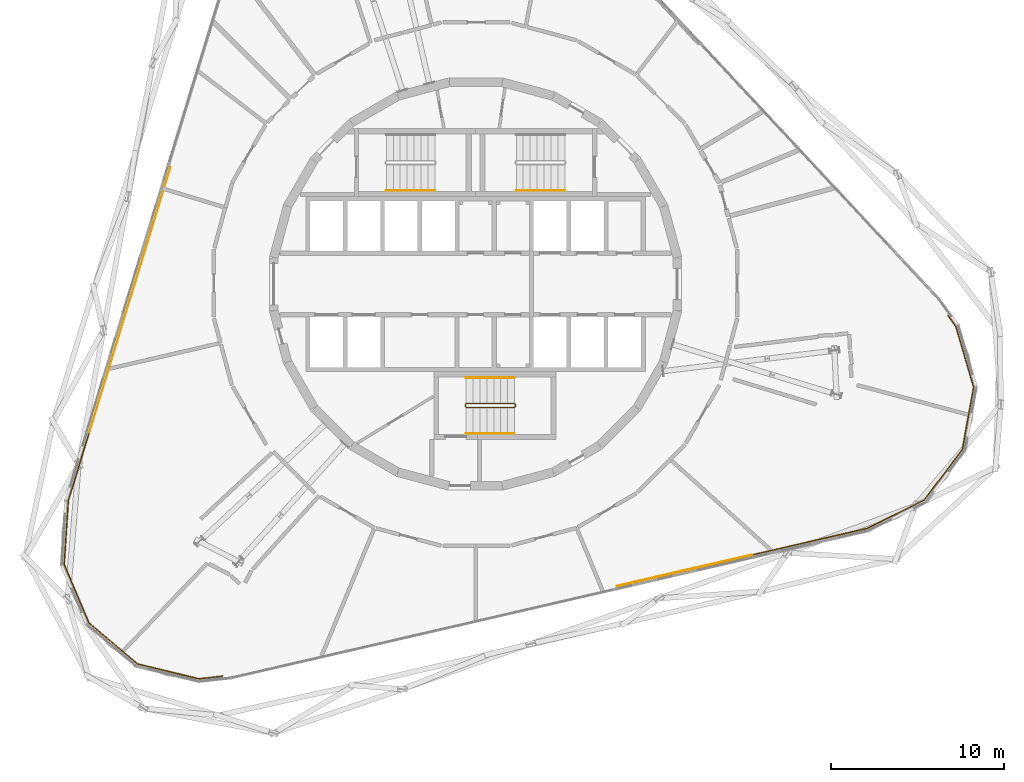
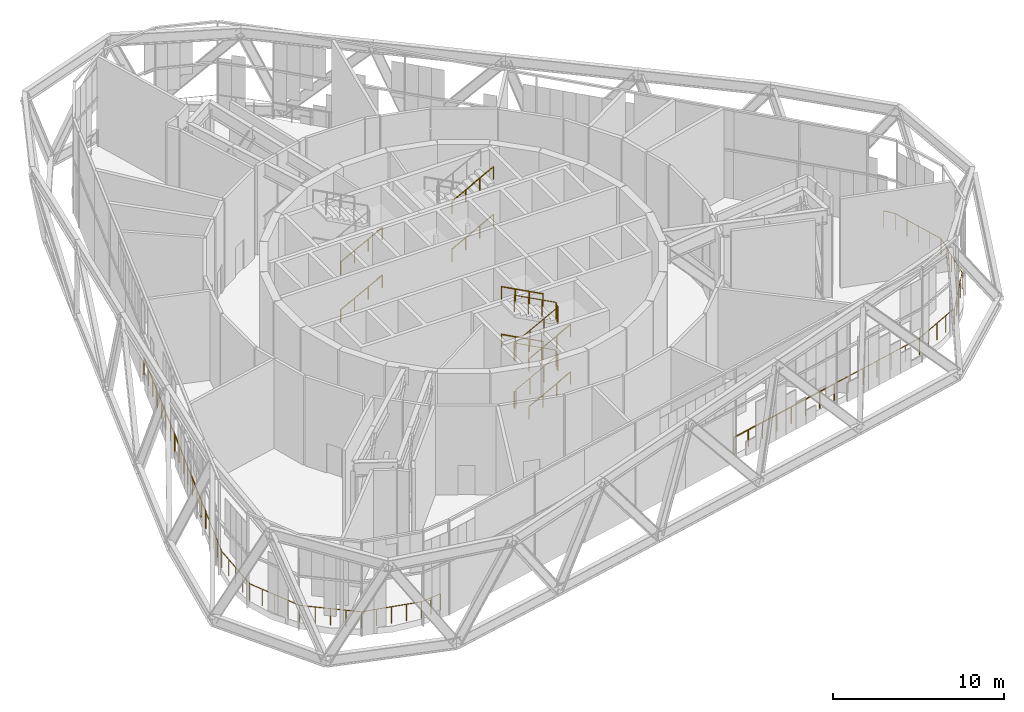
# One storey, part 24 of 25: 13 railings.
"""IFC4 building model written with IfcOpenShell, lengths in metres."""

from ifc_helpers import new_model, si_unit, direction, frame, origin, origin_2d, place, context, subcontext, project, spatial, circle, extrude, material, type_object, element, save


model = new_model("IFC4")

# Units and contexts
model_context = context("Model", 3, precision=1e-05, world=origin(), true_north=direction((0.0, 1.0)))
body_context = subcontext(model_context, "Body", "Model", "MODEL_VIEW")
ifc_project = project(units=[si_unit("LENGTHUNIT", "METRE"), si_unit("AREAUNIT", "SQUARE_METRE"), si_unit("VOLUMEUNIT", "CUBIC_METRE"), si_unit("PLANEANGLEUNIT", "RADIAN"), si_unit("MASSUNIT", "GRAM", prefix="KILO")], contexts=[model_context])

# Site, building, storey
site_placement = place(None, origin())
site = spatial("IfcSite", under=ifc_project, at=site_placement, CompositionType="ELEMENT")
building_placement = place(site_placement, origin())
building = spatial("IfcBuilding", under=site, at=building_placement, Name="Spindle Arch Residences", CompositionType="ELEMENT")
storey_placement = place(building_placement, frame((0.0, 0.0, 144.89990234375)))
storey = spatial("IfcBuildingStorey", under=building, at=storey_placement, Name="L36", CompositionType="ELEMENT", Elevation=144.89990234375)

# Railings
ifc_material_1 = material(Name="Bronze anodised aluminium guard with glass infill", Category="aluminium")
railing_type_1 = type_object("IfcRailingType", Name="Facade guard 1200", PredefinedType="GUARDRAIL", material=ifc_material_1)
railing_1_placement = place(storey_placement, frame((15.998046875, -15.62255859375, 0.0)))
element("IfcRailing", 1, at=railing_1_placement, inside=storey, type_object=railing_type_1, Name="Facade guard L36 1", PredefinedType="GUARDRAIL", context=body_context, shape_type="SweptSolid", body=[
    extrude(circle(Radius=0.02392578125, at=origin_2d()), frame((0.0, 0.0, 1.17578125), z_axis=(0.974366842285, 0.224965012068, 0.0), x_axis=(-0.224965012068, 0.974366842285, 0.0)), (0.0, 0.0, 1.0), 6.760009765625),
    extrude(circle(Radius=0.02392578125, at=origin_2d()), frame((6.586669921875, 1.520751953125, 1.17578125), z_axis=(0.896586040729, 0.442869587542, 0.0), x_axis=(-0.442869587542, 0.896586040729, 0.0)), (0.0, 0.0, 1.0), 3.69140625),
    extrude(circle(Radius=0.02392578125, at=origin_2d()), frame((9.896240234375, 3.155517578125, 1.17578125), z_axis=(0.601227923435, 0.799077583268, 0.0), x_axis=(-0.799077583268, 0.601227923435, 0.0)), (0.0, 0.0, 1.0), 3.65625),
    extrude(circle(Radius=0.02392578125, at=origin_2d()), frame((12.094482421875, 6.0771484375, 1.17578125), z_axis=(0.178750288741, 0.98389447314, 0.0), x_axis=(-0.98389447314, 0.178750288741, 0.0)), (0.0, 0.0, 1.0), 3.65625),
    extrude(circle(Radius=0.02392578125, at=origin_2d()), frame((12.748046875, 9.674560546875, 1.17578125), z_axis=(-0.281927708506, 0.959435650357, 0.0), x_axis=(-0.959435650357, -0.281927708506, 0.0)), (0.0, 0.0, 1.0), 3.656005859375),
    extrude(circle(Radius=0.02392578125, at=origin_2d()), frame((11.71728515625, 13.182373046875, 1.17578125), z_axis=(-0.591252575299, 0.806486448864, 0.0), x_axis=(-0.806486448864, -0.591252575299, 0.0)), (0.0, 0.0, 1.0), 0.76220703125),
    extrude(circle(Radius=0.02099609375, at=origin_2d()), origin(), (0.0, 0.0, 1.0), 1.15185546875),
    extrude(circle(Radius=0.02099609375, at=origin_2d()), frame((1.09765625, 0.25341796875, 0.0)), (0.0, 0.0, 1.0), 1.15185546875),
    extrude(circle(Radius=0.02099609375, at=origin_2d()), frame((2.195556640625, 0.5068359375, 0.0)), (0.0, 0.0, 1.0), 1.15185546875),
    extrude(circle(Radius=0.02099609375, at=origin_2d()), frame((3.29345703125, 0.76025390625, 0.0)), (0.0, 0.0, 1.0), 1.15185546875),
    extrude(circle(Radius=0.02099609375, at=origin_2d()), frame((4.39111328125, 1.013916015625, 0.0)), (0.0, 0.0, 1.0), 1.15185546875),
    extrude(circle(Radius=0.02099609375, at=origin_2d()), frame((5.48876953125, 1.267333984375, 0.0)), (0.0, 0.0, 1.0), 1.15185546875),
    extrude(circle(Radius=0.02099609375, at=origin_2d()), frame((6.586669921875, 1.520751953125, 0.0)), (0.0, 0.0, 1.0), 1.15185546875),
    extrude(circle(Radius=0.02099609375, at=origin_2d()), frame((7.4140625, 1.929443359375, 0.0)), (0.0, 0.0, 1.0), 1.15185546875),
    extrude(circle(Radius=0.02099609375, at=origin_2d()), frame((8.241455078125, 2.338134765625, 0.0)), (0.0, 0.0, 1.0), 1.15185546875),
    extrude(circle(Radius=0.02099609375, at=origin_2d()), frame((9.06884765625, 2.746826171875, 0.0)), (0.0, 0.0, 1.0), 1.15185546875),
    extrude(circle(Radius=0.02099609375, at=origin_2d()), frame((9.896240234375, 3.155517578125, 0.0)), (0.0, 0.0, 1.0), 1.15185546875),
    extrude(circle(Radius=0.02099609375, at=origin_2d()), frame((10.44580078125, 3.885986328125, 0.0)), (0.0, 0.0, 1.0), 1.15185546875),
    extrude(circle(Radius=0.02099609375, at=origin_2d()), frame((10.995361328125, 4.6162109375, 0.0)), (0.0, 0.0, 1.0), 1.15185546875),
    extrude(circle(Radius=0.02099609375, at=origin_2d()), frame((11.544921875, 5.3466796875, 0.0)), (0.0, 0.0, 1.0), 1.15185546875),
    extrude(circle(Radius=0.02099609375, at=origin_2d()), frame((12.094482421875, 6.0771484375, 0.0)), (0.0, 0.0, 1.0), 1.15185546875),
    extrude(circle(Radius=0.02099609375, at=origin_2d()), frame((12.2578125, 6.9765625, 0.0)), (0.0, 0.0, 1.0), 1.15185546875),
    extrude(circle(Radius=0.02099609375, at=origin_2d()), frame((12.42138671875, 7.8759765625, 0.0)), (0.0, 0.0, 1.0), 1.15185546875),
    extrude(circle(Radius=0.02099609375, at=origin_2d()), frame((12.584716796875, 8.775146484375, 0.0)), (0.0, 0.0, 1.0), 1.15185546875),
    extrude(circle(Radius=0.02099609375, at=origin_2d()), frame((12.748046875, 9.674560546875, 0.0)), (0.0, 0.0, 1.0), 1.15185546875),
    extrude(circle(Radius=0.02099609375, at=origin_2d()), frame((12.490234375, 10.551513671875, 0.0)), (0.0, 0.0, 1.0), 1.15185546875),
    extrude(circle(Radius=0.02099609375, at=origin_2d()), frame((12.232666015625, 11.428466796875, 0.0)), (0.0, 0.0, 1.0), 1.15185546875),
    extrude(circle(Radius=0.02099609375, at=origin_2d()), frame((11.97509765625, 12.305419921875, 0.0)), (0.0, 0.0, 1.0), 1.15185546875),
    extrude(circle(Radius=0.02099609375, at=origin_2d()), frame((11.71728515625, 13.182373046875, 0.0)), (0.0, 0.0, 1.0), 1.15185546875),
    extrude(circle(Radius=0.02099609375, at=origin_2d()), frame((11.2666015625, 13.797119140625, 0.0)), (0.0, 0.0, 1.0), 1.15185546875),
])
railing_2_placement = place(storey_placement, frame((-17.615966796875, 6.753662109375, 0.0)))
element("IfcRailing", 2, at=railing_2_placement, inside=storey, type_object=railing_type_1, Name="Facade guard L36 4", PredefinedType="GUARDRAIL", context=body_context, shape_type="SweptSolid", body=[
    extrude(circle(Radius=0.02392578125, at=origin_2d()), frame((0.0, 0.0, 1.17578125), z_axis=(-0.292372836763, -0.956304409863, 0.0), x_axis=(0.956304409863, -0.292372836763, 0.0)), (0.0, 0.0, 1.0), 15.998291015625),
    extrude(circle(Radius=0.02099609375, at=origin_2d()), origin(), (0.0, 0.0, 1.0), 1.15185546875),
    extrude(circle(Radius=0.02099609375, at=origin_2d()), frame((-0.333984375, -1.0927734375, 0.0)), (0.0, 0.0, 1.0), 1.15185546875),
    extrude(circle(Radius=0.02099609375, at=origin_2d()), frame((-0.668212890625, -2.185546875, 0.0)), (0.0, 0.0, 1.0), 1.15185546875),
    extrude(circle(Radius=0.02099609375, at=origin_2d()), frame((-1.00244140625, -3.2783203125, 0.0)), (0.0, 0.0, 1.0), 1.15185546875),
    extrude(circle(Radius=0.02099609375, at=origin_2d()), frame((-1.33642578125, -4.371337890625, 0.0)), (0.0, 0.0, 1.0), 1.15185546875),
    extrude(circle(Radius=0.02099609375, at=origin_2d()), frame((-1.67041015625, -5.464111328125, 0.0)), (0.0, 0.0, 1.0), 1.15185546875),
    extrude(circle(Radius=0.02099609375, at=origin_2d()), frame((-2.004638671875, -6.556884765625, 0.0)), (0.0, 0.0, 1.0), 1.15185546875),
    extrude(circle(Radius=0.02099609375, at=origin_2d()), frame((-2.3388671875, -7.649658203125, 0.0)), (0.0, 0.0, 1.0), 1.15185546875),
    extrude(circle(Radius=0.02099609375, at=origin_2d()), frame((-2.6728515625, -8.742431640625, 0.0)), (0.0, 0.0, 1.0), 1.15185546875),
    extrude(circle(Radius=0.02099609375, at=origin_2d()), frame((-3.007080078125, -9.835205078125, 0.0)), (0.0, 0.0, 1.0), 1.15185546875),
    extrude(circle(Radius=0.02099609375, at=origin_2d()), frame((-3.341064453125, -10.927978515625, 0.0)), (0.0, 0.0, 1.0), 1.15185546875),
    extrude(circle(Radius=0.02099609375, at=origin_2d()), frame((-3.67529296875, -12.02099609375, 0.0)), (0.0, 0.0, 1.0), 1.15185546875),
    extrude(circle(Radius=0.02099609375, at=origin_2d()), frame((-4.00927734375, -13.11376953125, 0.0)), (0.0, 0.0, 1.0), 1.15185546875),
    extrude(circle(Radius=0.02099609375, at=origin_2d()), frame((-4.34326171875, -14.20654296875, 0.0)), (0.0, 0.0, 1.0), 1.15185546875),
    extrude(circle(Radius=0.02099609375, at=origin_2d()), frame((-4.677490234375, -15.29931640625, 0.0)), (0.0, 0.0, 1.0), 1.15185546875),
])
railing_3_placement = place(storey_placement, frame((-22.31103515625, -8.60302734375, 0.0)))
element("IfcRailing", 3, at=railing_3_placement, inside=storey, type_object=railing_type_1, Name="Facade guard L36 5", PredefinedType="GUARDRAIL", context=body_context, shape_type="SweptSolid", body=[
    extrude(circle(Radius=0.02392578125, at=origin_2d()), frame((0.0, 0.0, 1.17578125), z_axis=(-0.292362833345, -0.95630746817, 0.0), x_axis=(0.95630746817, -0.292362833345, 0.0)), (0.0, 0.0, 1.0), 4.08349609375),
    extrude(circle(Radius=0.02392578125, at=origin_2d()), frame((-1.19384765625, -3.905029296875, 1.17578125), z_axis=(-0.064749840615, -0.997901527276, 0.0), x_axis=(0.997901527276, -0.064749840615, 0.0)), (0.0, 0.0, 1.0), 3.69140625),
    extrude(circle(Radius=0.02392578125, at=origin_2d()), frame((-1.432861328125, -7.588623046875, 1.17578125), z_axis=(0.391371107778, -0.920232935727, 0.0), x_axis=(0.920232935727, 0.391371107778, 0.0)), (0.0, 0.0, 1.0), 3.65625),
    extrude(circle(Radius=0.02392578125, at=origin_2d()), frame((-0.001953125, -10.953125, 1.17578125), z_axis=(0.762747655195, -0.646696230462, 0.0), x_axis=(0.646696230462, 0.762747655195, 0.0)), (0.0, 0.0, 1.0), 3.65625),
    extrude(circle(Radius=0.02392578125, at=origin_2d()), frame((2.786865234375, -13.317626953125, 1.17578125), z_axis=(0.971838521744, -0.235647804262, 0.0), x_axis=(0.235647804262, 0.971838521744, 0.0)), (0.0, 0.0, 1.0), 3.65625),
    extrude(circle(Radius=0.02392578125, at=origin_2d()), frame((6.340087890625, -14.17919921875, 1.17578125), z_axis=(0.993994262492, 0.109432198798, 0.0), x_axis=(-0.109432198798, 0.993994262492, 0.0)), (0.0, 0.0, 1.0), 1.36767578125),
    extrude(circle(Radius=0.02099609375, at=origin_2d()), origin(), (0.0, 0.0, 1.0), 1.15185546875),
    extrude(circle(Radius=0.02099609375, at=origin_2d()), frame((-0.29833984375, -0.976318359375, 0.0)), (0.0, 0.0, 1.0), 1.15185546875),
    extrude(circle(Radius=0.02099609375, at=origin_2d()), frame((-0.596923828125, -1.95263671875, 0.0)), (0.0, 0.0, 1.0), 1.15185546875),
    extrude(circle(Radius=0.02099609375, at=origin_2d()), frame((-0.8955078125, -2.9287109375, 0.0)), (0.0, 0.0, 1.0), 1.15185546875),
    extrude(circle(Radius=0.02099609375, at=origin_2d()), frame((-1.19384765625, -3.905029296875, 0.0)), (0.0, 0.0, 1.0), 1.15185546875),
    extrude(circle(Radius=0.02099609375, at=origin_2d()), frame((-1.253662109375, -4.825927734375, 0.0)), (0.0, 0.0, 1.0), 1.15185546875),
    extrude(circle(Radius=0.02099609375, at=origin_2d()), frame((-1.3134765625, -5.746826171875, 0.0)), (0.0, 0.0, 1.0), 1.15185546875),
    extrude(circle(Radius=0.02099609375, at=origin_2d()), frame((-1.373046875, -6.667724609375, 0.0)), (0.0, 0.0, 1.0), 1.15185546875),
    extrude(circle(Radius=0.02099609375, at=origin_2d()), frame((-1.432861328125, -7.588623046875, 0.0)), (0.0, 0.0, 1.0), 1.15185546875),
    extrude(circle(Radius=0.02099609375, at=origin_2d()), frame((-1.0751953125, -8.4296875, 0.0)), (0.0, 0.0, 1.0), 1.15185546875),
    extrude(circle(Radius=0.02099609375, at=origin_2d()), frame((-0.71728515625, -9.27099609375, 0.0)), (0.0, 0.0, 1.0), 1.15185546875),
    extrude(circle(Radius=0.02099609375, at=origin_2d()), frame((-0.359619140625, -10.112060546875, 0.0)), (0.0, 0.0, 1.0), 1.15185546875),
    extrude(circle(Radius=0.02099609375, at=origin_2d()), frame((-0.001953125, -10.953125, 0.0)), (0.0, 0.0, 1.0), 1.15185546875),
    extrude(circle(Radius=0.02099609375, at=origin_2d()), frame((0.6953125, -11.544189453125, 0.0)), (0.0, 0.0, 1.0), 1.15185546875),
    extrude(circle(Radius=0.02099609375, at=origin_2d()), frame((1.392578125, -12.13525390625, 0.0)), (0.0, 0.0, 1.0), 1.15185546875),
    extrude(circle(Radius=0.02099609375, at=origin_2d()), frame((2.089599609375, -12.7265625, 0.0)), (0.0, 0.0, 1.0), 1.15185546875),
    extrude(circle(Radius=0.02099609375, at=origin_2d()), frame((2.786865234375, -13.317626953125, 0.0)), (0.0, 0.0, 1.0), 1.15185546875),
    extrude(circle(Radius=0.02099609375, at=origin_2d()), frame((3.67529296875, -13.532958984375, 0.0)), (0.0, 0.0, 1.0), 1.15185546875),
    extrude(circle(Radius=0.02099609375, at=origin_2d()), frame((4.5634765625, -13.74853515625, 0.0)), (0.0, 0.0, 1.0), 1.15185546875),
    extrude(circle(Radius=0.02099609375, at=origin_2d()), frame((5.45166015625, -13.9638671875, 0.0)), (0.0, 0.0, 1.0), 1.15185546875),
    extrude(circle(Radius=0.02099609375, at=origin_2d()), frame((6.340087890625, -14.17919921875, 0.0)), (0.0, 0.0, 1.0), 1.15185546875),
    extrude(circle(Radius=0.02099609375, at=origin_2d()), frame((7.019775390625, -14.1044921875, 0.0)), (0.0, 0.0, 1.0), 1.15185546875),
    extrude(circle(Radius=0.02099609375, at=origin_2d()), frame((7.699462890625, -14.029541015625, 0.0)), (0.0, 0.0, 1.0), 1.15185546875),
])
railing_4_placement = place(storey_placement, frame((8.1748046875, -17.4287109375, 0.0)))
element("IfcRailing", 4, at=railing_4_placement, inside=storey, type_object=railing_type_1, Name="Facade guard L36 6", PredefinedType="GUARDRAIL", context=body_context, shape_type="SweptSolid", body=[
    extrude(circle(Radius=0.02392578125, at=origin_2d()), frame((0.0, 0.0, 1.17578125), z_axis=(0.974368472112, 0.22495795286, 0.0), x_axis=(-0.22495795286, 0.974368472112, 0.0)), (0.0, 0.0, 1.0), 7.96923828125),
    extrude(circle(Radius=0.02099609375, at=origin_2d()), origin(), (0.0, 0.0, 1.0), 1.15185546875),
    extrude(circle(Radius=0.02099609375, at=origin_2d()), frame((1.109375, 0.256103515625, 0.0)), (0.0, 0.0, 1.0), 1.15185546875),
    extrude(circle(Radius=0.02099609375, at=origin_2d()), frame((2.218505859375, 0.51220703125, 0.0)), (0.0, 0.0, 1.0), 1.15185546875),
    extrude(circle(Radius=0.02099609375, at=origin_2d()), frame((3.327880859375, 0.768310546875, 0.0)), (0.0, 0.0, 1.0), 1.15185546875),
    extrude(circle(Radius=0.02099609375, at=origin_2d()), frame((4.43701171875, 1.0244140625, 0.0)), (0.0, 0.0, 1.0), 1.15185546875),
    extrude(circle(Radius=0.02099609375, at=origin_2d()), frame((5.54638671875, 1.280517578125, 0.0)), (0.0, 0.0, 1.0), 1.15185546875),
    extrude(circle(Radius=0.02099609375, at=origin_2d()), frame((6.655517578125, 1.53662109375, 0.0)), (0.0, 0.0, 1.0), 1.15185546875),
    extrude(circle(Radius=0.02099609375, at=origin_2d()), frame((7.764892578125, 1.792724609375, 0.0)), (0.0, 0.0, 1.0), 1.15185546875),
])
ifc_material_2 = material(Name="Steel, painted", Category="steel")
railing_type_2 = type_object("IfcRailingType", Name="Stair guard 1100", PredefinedType="GUARDRAIL", material=ifc_material_2)
railing_5_placement = place(storey_placement, frame((-0.550048828125, -6.89990234375, 6.800048828125)))
element("IfcRailing", 5, at=railing_5_placement, inside=storey, type_object=railing_type_2, Name="L36 ST3 stair guard 1", PredefinedType="GUARDRAIL", context=body_context, shape_type="SweptSolid", body=[
    extrude(circle(Radius=0.02392578125, at=origin_2d()), frame((0.0, 0.0, 1.17578125), z_axis=(0.88311272858, 0.0, -0.469160855806), x_axis=(0.0, 1.0, 0.0)), (0.0, 0.0, 1.0), 3.170654296875),
    extrude(circle(Radius=0.02392578125, at=origin_2d()), frame((2.800048828125, 0.0, -0.3115234375), z_axis=(0.223546962728, -0.223546962728, -0.948711500357), x_axis=(0.707106781187, 0.707106781187, 0.0)), (0.0, 0.0, 1.0), 0.223876953125),
    extrude(circle(Radius=0.02392578125, at=origin_2d()), frame((2.85009765625, -0.050048828125, -0.52392578125), z_axis=(0.0, -1.0, 0.0), x_axis=(1.0, 0.0, 0.0)), (0.0, 0.0, 1.0), 0.1201171875),
    extrude(circle(Radius=0.02392578125, at=origin_2d()), frame((2.85009765625, -0.170166015625, -0.52392578125), z_axis=(-0.707106781187, -0.707106781187, 0.0), x_axis=(0.707106781187, -0.707106781187, 0.0)), (0.0, 0.0, 1.0), 0.07080078125),
    extrude(circle(Radius=0.02392578125, at=origin_2d()), frame((2.800048828125, -0.22021484375, -0.52392578125), z_axis=(-0.88311272858, 0.0, -0.469160855806), x_axis=(0.0, -1.0, 0.0)), (0.0, 0.0, 1.0), 3.170654296875),
    extrude(circle(Radius=0.02392578125, at=origin_2d()), frame((0.0, -0.22021484375, -2.01171875), z_axis=(-0.180861968005, 0.614930691216, -0.767560547142), x_axis=(-0.959365501571, -0.282166323992, 0.0)), (0.0, 0.0, 1.0), 0.276611328125),
    extrude(circle(Radius=0.02392578125, at=origin_2d()), frame((-0.050048828125, -0.050048828125, -2.22412109375), z_axis=(0.0, -1.0, 0.0), x_axis=(1.0, 0.0, 0.0)), (0.0, 0.0, 1.0), 0.1201171875),
    extrude(circle(Radius=0.02392578125, at=origin_2d()), frame((-0.050048828125, -0.170166015625, -2.22412109375), z_axis=(0.282166323992, 0.959365501571, 0.0), x_axis=(-0.959365501571, 0.282166323992, 0.0)), (0.0, 0.0, 1.0), 0.177490234375),
    extrude(circle(Radius=0.02392578125, at=origin_2d()), frame((0.0, 0.0, -2.22412109375), z_axis=(0.88311272858, 0.0, -0.469160855806), x_axis=(0.0, 1.0, 0.0)), (0.0, 0.0, 1.0), 3.170654296875),
    extrude(circle(Radius=0.02392578125, at=origin_2d()), frame((2.800048828125, 0.0, -3.71142578125), z_axis=(0.223546962728, -0.223546962728, -0.948711500357), x_axis=(0.707106781187, 0.707106781187, 0.0)), (0.0, 0.0, 1.0), 0.223876953125),
    extrude(circle(Radius=0.02392578125, at=origin_2d()), frame((2.85009765625, -0.050048828125, -3.923828125), z_axis=(0.0, -1.0, 0.0), x_axis=(1.0, 0.0, 0.0)), (0.0, 0.0, 1.0), 0.1201171875),
    extrude(circle(Radius=0.02392578125, at=origin_2d()), frame((2.85009765625, -0.170166015625, -3.923828125), z_axis=(-0.707106781187, -0.707106781187, 0.0), x_axis=(0.707106781187, -0.707106781187, 0.0)), (0.0, 0.0, 1.0), 0.07080078125),
    extrude(circle(Radius=0.02392578125, at=origin_2d()), frame((2.800048828125, -0.22021484375, -3.923828125), z_axis=(-0.88311272858, 0.0, -0.469160855806), x_axis=(0.0, -1.0, 0.0)), (0.0, 0.0, 1.0), 3.170654296875),
    extrude(circle(Radius=0.02392578125, at=origin_2d()), frame((0.0, -0.22021484375, -5.41162109375), z_axis=(-0.223315919267, 0.223315919267, -0.9488203204), x_axis=(-0.707106781187, -0.707106781187, 0.0)), (0.0, 0.0, 1.0), 0.22412109375),
    extrude(circle(Radius=0.02392578125, at=origin_2d()), frame((-0.050048828125, -0.170166015625, -5.6240234375), z_axis=(0.0, 1.0, 0.0), x_axis=(-1.0, 0.0, 0.0)), (0.0, 0.0, 1.0), 0.1201171875),
    extrude(circle(Radius=0.02099609375, at=origin_2d()), origin(), (0.0, 0.0, 1.0), 1.15185546875),
    extrude(circle(Radius=0.02099609375, at=origin_2d()), frame((0.933349609375, 0.0, -0.495849609375)), (0.0, 0.0, 1.0), 1.15185546875),
    extrude(circle(Radius=0.02099609375, at=origin_2d()), frame((1.86669921875, 0.0, -0.99169921875)), (0.0, 0.0, 1.0), 1.15185546875),
    extrude(circle(Radius=0.02099609375, at=origin_2d()), frame((2.800048828125, 0.0, -1.487548828125)), (0.0, 0.0, 1.0), 1.15185546875),
    extrude(circle(Radius=0.02099609375, at=origin_2d()), frame((2.85009765625, -0.050048828125, -1.699951171875)), (0.0, 0.0, 1.0), 1.15185546875),
    extrude(circle(Radius=0.02099609375, at=origin_2d()), frame((2.85009765625, -0.170166015625, -1.699951171875)), (0.0, 0.0, 1.0), 1.15185546875),
    extrude(circle(Radius=0.02099609375, at=origin_2d()), frame((2.800048828125, -0.22021484375, -1.699951171875)), (0.0, 0.0, 1.0), 1.15185546875),
    extrude(circle(Radius=0.02099609375, at=origin_2d()), frame((1.86669921875, -0.22021484375, -2.19580078125)), (0.0, 0.0, 1.0), 1.15185546875),
    extrude(circle(Radius=0.02099609375, at=origin_2d()), frame((0.933349609375, -0.22021484375, -2.691650390625)), (0.0, 0.0, 1.0), 1.15185546875),
    extrude(circle(Radius=0.02099609375, at=origin_2d()), frame((0.0, -0.22021484375, -3.1875)), (0.0, 0.0, 1.0), 1.15185546875),
    extrude(circle(Radius=0.02099609375, at=origin_2d()), frame((-0.050048828125, -0.050048828125, -3.39990234375)), (0.0, 0.0, 1.0), 1.15185546875),
    extrude(circle(Radius=0.02099609375, at=origin_2d()), frame((-0.050048828125, -0.170166015625, -3.39990234375)), (0.0, 0.0, 1.0), 1.15185546875),
    extrude(circle(Radius=0.02099609375, at=origin_2d()), frame((0.0, 0.0, -3.39990234375)), (0.0, 0.0, 1.0), 1.15185546875),
    extrude(circle(Radius=0.02099609375, at=origin_2d()), frame((0.933349609375, 0.0, -3.895751953125)), (0.0, 0.0, 1.0), 1.15185546875),
    extrude(circle(Radius=0.02099609375, at=origin_2d()), frame((1.86669921875, 0.0, -4.3916015625)), (0.0, 0.0, 1.0), 1.15185546875),
    extrude(circle(Radius=0.02099609375, at=origin_2d()), frame((2.800048828125, 0.0, -4.887451171875)), (0.0, 0.0, 1.0), 1.15185546875),
    extrude(circle(Radius=0.02099609375, at=origin_2d()), frame((2.85009765625, -0.050048828125, -5.099853515625)), (0.0, 0.0, 1.0), 1.15185546875),
    extrude(circle(Radius=0.02099609375, at=origin_2d()), frame((2.85009765625, -0.170166015625, -5.099853515625)), (0.0, 0.0, 1.0), 1.15185546875),
    extrude(circle(Radius=0.02099609375, at=origin_2d()), frame((2.800048828125, -0.22021484375, -5.099853515625)), (0.0, 0.0, 1.0), 1.15185546875),
    extrude(circle(Radius=0.02099609375, at=origin_2d()), frame((1.86669921875, -0.22021484375, -5.595703125)), (0.0, 0.0, 1.0), 1.15185546875),
    extrude(circle(Radius=0.02099609375, at=origin_2d()), frame((0.933349609375, -0.22021484375, -6.091552734375)), (0.0, 0.0, 1.0), 1.15185546875),
    extrude(circle(Radius=0.02099609375, at=origin_2d()), frame((0.0, -0.22021484375, -6.58740234375)), (0.0, 0.0, 1.0), 1.15185546875),
    extrude(circle(Radius=0.02099609375, at=origin_2d()), frame((-0.050048828125, -0.170166015625, -6.800048828125)), (0.0, 0.0, 1.0), 1.15185546875),
    extrude(circle(Radius=0.02099609375, at=origin_2d()), frame((-0.050048828125, -0.050048828125, -6.800048828125)), (0.0, 0.0, 1.0), 1.15185546875),
])
ifc_material_3 = material(Name="Steel, painted", Category="steel")
railing_type_3 = type_object("IfcRailingType", Name="Stair handrail 900", PredefinedType="HANDRAIL", material=ifc_material_3)
for number, where, name in (
    (6, (2.35009765625, 5.39990234375, 1.91259765625), "L36 ST1 stair handrail 2"),
    (7, (2.35009765625, 5.39990234375, 5.3125), "L36 ST1 stair handrail 4"),
    (8, (-5.14990234375, 5.39990234375, 0.212646484375), "L36 ST2 stair handrail 1"),
    (9, (-5.14990234375, 5.39990234375, 3.612548828125), "L36 ST2 stair handrail 3"),
):
    element("IfcRailing", number, at=place(storey_placement, frame(where)), inside=storey, type_object=railing_type_3, Name=name, PredefinedType="HANDRAIL", context=body_context, shape_type="SweptSolid", body=[
        extrude(circle(Radius=0.02392578125, at=origin_2d()), frame((0.0, 0.0, 0.8759765625), z_axis=(0.883095778239, 0.0, 0.469192760447), x_axis=(0.0, 1.0, 0.0)), (0.0, 0.0, 1.0), 3.17041015625),
        extrude(circle(Radius=0.02099609375, at=origin_2d()), origin(), (0.0, 0.0, 1.0), 0.851806640625),
        extrude(circle(Radius=0.02099609375, at=origin_2d()), frame((0.933349609375, 0.0, 0.495849609375)), (0.0, 0.0, 1.0), 0.851806640625),
        extrude(circle(Radius=0.02099609375, at=origin_2d()), frame((1.866455078125, 0.0, 0.99169921875)), (0.0, 0.0, 1.0), 0.851806640625),
        extrude(circle(Radius=0.02099609375, at=origin_2d()), frame((2.7998046875, 0.0, 1.487548828125)), (0.0, 0.0, 1.0), 0.851806640625),
    ])
railing_6_placement = place(storey_placement, frame((-0.550048828125, -8.6201171875, 0.212646484375)))
element("IfcRailing", 10, at=railing_6_placement, inside=storey, type_object=railing_type_3, Name="L36 ST3 stair handrail 1", PredefinedType="HANDRAIL", context=body_context, shape_type="SweptSolid", body=[
    extrude(circle(Radius=0.02392578125, at=origin_2d()), frame((0.0, 0.0, 0.8759765625), z_axis=(0.88311272858, 0.0, 0.469160855806), x_axis=(0.0, 1.0, 0.0)), (0.0, 0.0, 1.0), 3.170654296875),
    extrude(circle(Radius=0.02099609375, at=origin_2d()), origin(), (0.0, 0.0, 1.0), 0.851806640625),
    extrude(circle(Radius=0.02099609375, at=origin_2d()), frame((0.933349609375, 0.0, 0.495849609375)), (0.0, 0.0, 1.0), 0.851806640625),
    extrude(circle(Radius=0.02099609375, at=origin_2d()), frame((1.86669921875, 0.0, 0.99169921875)), (0.0, 0.0, 1.0), 0.851806640625),
    extrude(circle(Radius=0.02099609375, at=origin_2d()), frame((2.800048828125, 0.0, 1.487548828125)), (0.0, 0.0, 1.0), 0.851806640625),
])
railing_7_placement = place(storey_placement, frame((2.25, -5.39990234375, 1.91259765625)))
element("IfcRailing", 11, at=railing_7_placement, inside=storey, type_object=railing_type_3, Name="L36 ST3 stair handrail 2", PredefinedType="HANDRAIL", context=body_context, shape_type="SweptSolid", body=[
    extrude(circle(Radius=0.02392578125, at=origin_2d()), frame((0.0, 0.0, 0.8759765625), z_axis=(-0.88311272858, 0.0, 0.469160855806), x_axis=(0.0, -1.0, 0.0)), (0.0, 0.0, 1.0), 3.170654296875),
    extrude(circle(Radius=0.02099609375, at=origin_2d()), origin(), (0.0, 0.0, 1.0), 0.851806640625),
    extrude(circle(Radius=0.02099609375, at=origin_2d()), frame((-0.933349609375, 0.0, 0.495849609375)), (0.0, 0.0, 1.0), 0.851806640625),
    extrude(circle(Radius=0.02099609375, at=origin_2d()), frame((-1.86669921875, 0.0, 0.99169921875)), (0.0, 0.0, 1.0), 0.851806640625),
    extrude(circle(Radius=0.02099609375, at=origin_2d()), frame((-2.800048828125, 0.0, 1.487548828125)), (0.0, 0.0, 1.0), 0.851806640625),
])
railing_8_placement = place(storey_placement, frame((-0.550048828125, -8.6201171875, 3.612548828125)))
element("IfcRailing", 12, at=railing_8_placement, inside=storey, type_object=railing_type_3, Name="L36 ST3 stair handrail 3", PredefinedType="HANDRAIL", context=body_context, shape_type="SweptSolid", body=[
    extrude(circle(Radius=0.02392578125, at=origin_2d()), frame((0.0, 0.0, 0.8759765625), z_axis=(0.88311272858, 0.0, 0.469160855806), x_axis=(0.0, 1.0, 0.0)), (0.0, 0.0, 1.0), 3.170654296875),
    extrude(circle(Radius=0.02099609375, at=origin_2d()), origin(), (0.0, 0.0, 1.0), 0.851806640625),
    extrude(circle(Radius=0.02099609375, at=origin_2d()), frame((0.933349609375, 0.0, 0.495849609375)), (0.0, 0.0, 1.0), 0.851806640625),
    extrude(circle(Radius=0.02099609375, at=origin_2d()), frame((1.86669921875, 0.0, 0.99169921875)), (0.0, 0.0, 1.0), 0.851806640625),
    extrude(circle(Radius=0.02099609375, at=origin_2d()), frame((2.800048828125, 0.0, 1.487548828125)), (0.0, 0.0, 1.0), 0.851806640625),
])
railing_9_placement = place(storey_placement, frame((2.25, -5.39990234375, 5.3125)))
element("IfcRailing", 13, at=railing_9_placement, inside=storey, type_object=railing_type_3, Name="L36 ST3 stair handrail 4", PredefinedType="HANDRAIL", context=body_context, shape_type="SweptSolid", body=[
    extrude(circle(Radius=0.02392578125, at=origin_2d()), frame((0.0, 0.0, 0.8759765625), z_axis=(-0.88311272858, 0.0, 0.469160855806), x_axis=(0.0, -1.0, 0.0)), (0.0, 0.0, 1.0), 3.170654296875),
    extrude(circle(Radius=0.02099609375, at=origin_2d()), origin(), (0.0, 0.0, 1.0), 0.851806640625),
    extrude(circle(Radius=0.02099609375, at=origin_2d()), frame((-0.933349609375, 0.0, 0.495849609375)), (0.0, 0.0, 1.0), 0.851806640625),
    extrude(circle(Radius=0.02099609375, at=origin_2d()), frame((-1.86669921875, 0.0, 0.99169921875)), (0.0, 0.0, 1.0), 0.851806640625),
    extrude(circle(Radius=0.02099609375, at=origin_2d()), frame((-2.800048828125, 0.0, 1.487548828125)), (0.0, 0.0, 1.0), 0.851806640625),
])

save(model, "model.ifc")
